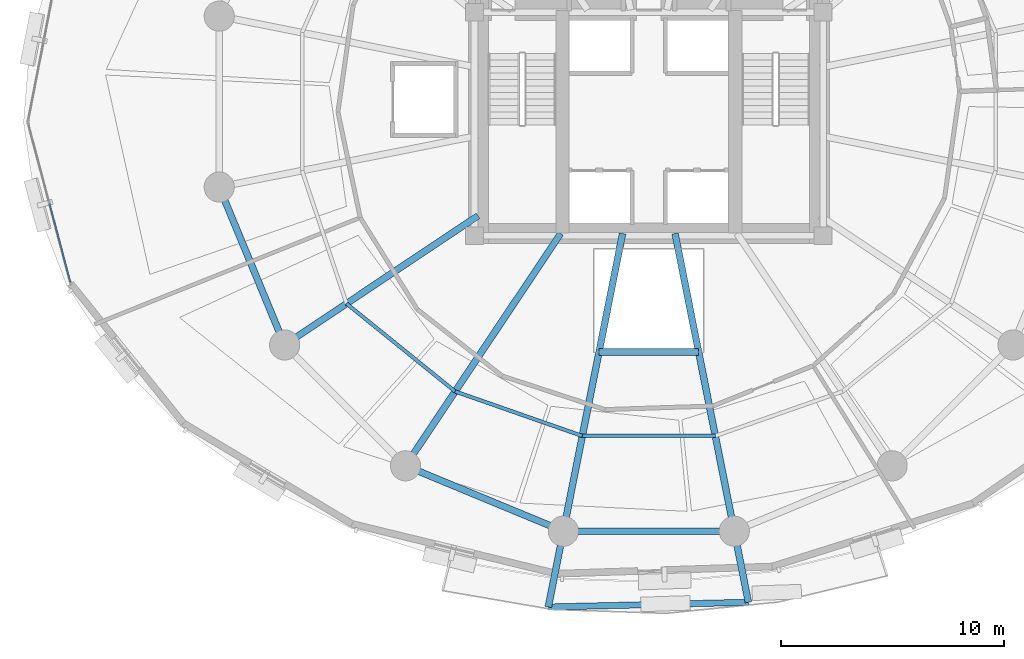
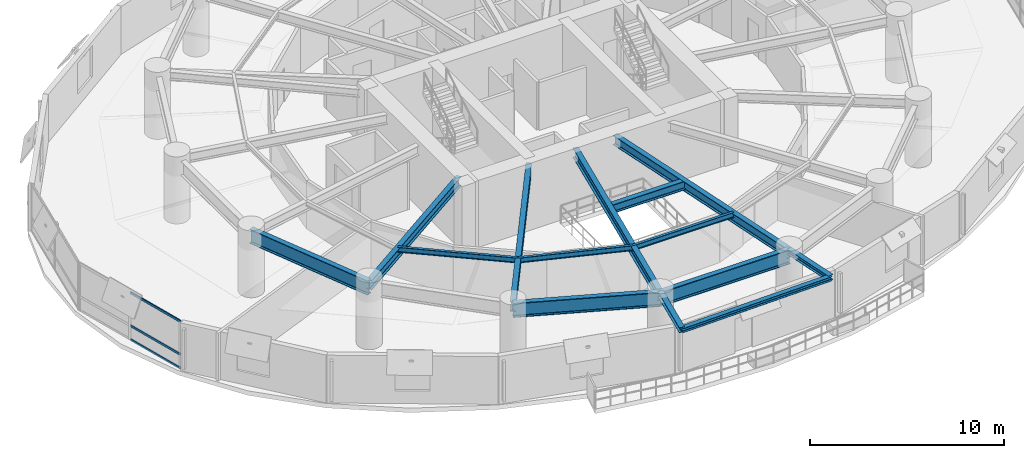
# One storey, part 3 of 15: 14 beams, 3 members, 1 element without a shape of its own.
"""IFC4 building model written with IfcOpenShell, lengths in metres."""

from ifc_helpers import new_model, si_unit, direction, frame, origin, origin_2d, place, context, subcontext, project, spatial, hollow_rectangle, i_section, extrude, material, layer, layer_set, material_profile, profile_set, type_object, element, aggregate, save


model = new_model("IFC4")

# Units and contexts
model_context = context("Model", 3, precision=1e-05, world=origin(), true_north=direction((0.0, 1.0)))
body_context = subcontext(model_context, "Body", "Model", "MODEL_VIEW")
ifc_project = project(units=[si_unit("LENGTHUNIT", "METRE"), si_unit("AREAUNIT", "SQUARE_METRE"), si_unit("VOLUMEUNIT", "CUBIC_METRE"), si_unit("PLANEANGLEUNIT", "RADIAN"), si_unit("MASSUNIT", "GRAM", prefix="KILO"), si_unit("THERMODYNAMICTEMPERATUREUNIT", "KELVIN"), si_unit("POWERUNIT", "WATT")], contexts=[model_context])

# Site, building, storey
site_placement = place(None, origin())
site = spatial("IfcSite", under=ifc_project, at=site_placement, CompositionType="ELEMENT")
building_placement = place(site_placement, origin())
building = spatial("IfcBuilding", under=site, at=building_placement, Name="Ocrelia Relay Tower", CompositionType="ELEMENT")
storey_placement = place(building_placement, frame((0.0, 0.0, 38.39990234375)))
storey = spatial("IfcBuildingStorey", under=building, at=storey_placement, Name="L08", CompositionType="ELEMENT", Elevation=38.39990234375)

# Beams
ifc_material_1 = material(Name="Steel S355", Category="steel")
ifc_material_profile_1 = material_profile(ifc_material_1, i_section(OverallWidth=0.280029296875, OverallDepth=0.27001953125, WebThickness=0.008056640625, FlangeThickness=0.012939453125, FilletRadius=0.02392578125, at=origin_2d()), Name="HEA 280")
ifc_profile_set_1 = profile_set([ifc_material_profile_1], Name="Steel S355")
beam_type_1 = type_object("IfcBeamType", Name="BM-HEA280", PredefinedType="BEAM", material=ifc_profile_set_1)
beam_1_placement = place(storey_placement, frame((29.501220703125, 3.3828125, 3.78515625), z_axis=(0.999720152709, 0.023656209927, 0.0), x_axis=(-0.023656209927, 0.999720152709, 0.0)))
element("IfcBeam", 1, at=beam_1_placement, inside=storey, type_object=beam_type_1, Name="L09 Balcony Edge Trimmer Beam B2", PredefinedType="BEAM", context=body_context, shape_type="SweptSolid", body=[
    extrude(i_section(OverallWidth=0.280029296875, OverallDepth=0.27001953125, WebThickness=0.008056640625, FlangeThickness=0.012939453125, FilletRadius=0.02392578125, at=origin_2d()), origin(), (0.0, 0.0, 1.0), 8.9580078125),
])
ifc_material_profile_2 = material_profile(ifc_material_1, i_section(OverallWidth=0.300048828125, OverallDepth=0.330078125, WebThickness=0.009521484375, FlangeThickness=0.0166015625, FilletRadius=0.027099609375, at=origin_2d()), Name="HEA 340")
ifc_profile_set_2 = profile_set([ifc_material_profile_2], Name="Steel S355")
beam_type_2 = type_object("IfcBeamType", Name="BM-HEA340", PredefinedType="BEAM", material=ifc_profile_set_2)
beam_2_placement = place(storey_placement, frame((30.17626953125, 6.776611328125, 3.755126953125), z_axis=(-0.195084836851, -0.980786371454, 0.0), x_axis=(0.980786371454, -0.195084836851, 0.0)))
element("IfcBeam", 2, at=beam_2_placement, inside=storey, type_object=beam_type_2, Name="L09 Balcony Cantilever Beam B2-1", PredefinedType="BEAM", context=body_context, shape_type="SweptSolid", body=[
    extrude(i_section(OverallWidth=0.300048828125, OverallDepth=0.330078125, WebThickness=0.009521484375, FlangeThickness=0.0166015625, FilletRadius=0.027099609375, at=origin_2d()), origin(), (0.0, 0.0, 1.0), 3.460205078125),
])
beam_3_placement = place(storey_placement, frame((37.82373046875, 6.776611328125, 3.755126953125), z_axis=(0.195131954021, -0.980776998364, 0.0), x_axis=(0.980776998364, 0.195131954021, 0.0)))
element("IfcBeam", 3, at=beam_3_placement, inside=storey, type_object=beam_type_2, Name="L09 Balcony Cantilever Beam B2-2", PredefinedType="BEAM", context=body_context, shape_type="SweptSolid", body=[
    extrude(i_section(OverallWidth=0.300048828125, OverallDepth=0.330078125, WebThickness=0.009521484375, FlangeThickness=0.0166015625, FilletRadius=0.027099609375, at=origin_2d()), origin(), (0.0, 0.0, 1.0), 3.244140625),
])
ifc_material_profile_3 = material_profile(ifc_material_1, i_section(OverallWidth=0.300048828125, OverallDepth=0.550048828125, WebThickness=0.014892578125, FlangeThickness=0.029052734375, FilletRadius=0.027099609375, at=origin_2d()), Name="HEB 550")
ifc_profile_set_3 = profile_set([ifc_material_profile_3], Name="Steel S355")
beam_type_3 = type_object("IfcBeamType", Name="BM-HEB550", PredefinedType="BEAM", material=ifc_profile_set_3)
beam_4_placement = place(storey_placement, frame((31.772216796875, 14.800048828125, 3.64501953125), z_axis=(1.0, 0.0, 0.0), x_axis=(0.0, 1.0, 0.0)))
element("IfcBeam", 4, at=beam_4_placement, inside=storey, type_object=beam_type_3, Name="L08 Atrium South Trimmer Beam", PredefinedType="BEAM", context=body_context, shape_type="SweptSolid", body=[
    extrude(i_section(OverallWidth=0.300048828125, OverallDepth=0.550048828125, WebThickness=0.014892578125, FlangeThickness=0.029052734375, FilletRadius=0.027099609375, at=origin_2d()), origin(), (0.0, 0.0, 1.0), 4.45556640625),
])
ifc_material_profile_4 = material_profile(ifc_material_1, i_section(OverallWidth=0.300048828125, OverallDepth=0.60009765625, WebThickness=0.015380859375, FlangeThickness=0.030029296875, FilletRadius=0.027099609375, at=origin_2d()), Name="HEB 600")
ifc_profile_set_4 = profile_set([ifc_material_profile_4], Name="Steel S355")
beam_type_4 = type_object("IfcBeamType", Name="BM-HEB600", PredefinedType="BEAM", material=ifc_profile_set_4)
beam_5_placement = place(storey_placement, frame((17.703125, 15.11083984375, 3.6201171875), z_axis=(0.83146868639, 0.555571618743, 0.0), x_axis=(-0.555571618743, 0.83146868639, 0.0)))
element("IfcBeam", 5, at=beam_5_placement, inside=storey, type_object=beam_type_4, Name="L08 Radial Floor Girder R10", PredefinedType="BEAM", context=body_context, shape_type="SweptSolid", body=[
    extrude(i_section(OverallWidth=0.300048828125, OverallDepth=0.60009765625, WebThickness=0.015380859375, FlangeThickness=0.030029296875, FilletRadius=0.027099609375, at=origin_2d()), origin(), (0.0, 0.0, 1.0), 10.405517578125),
])
beam_6_placement = place(storey_placement, frame((23.11083984375, 9.703125, 3.6201171875), z_axis=(0.555569912646, 0.831469826369, 0.0), x_axis=(-0.831469826369, 0.555569912646, 0.0)))
element("IfcBeam", 6, at=beam_6_placement, inside=storey, type_object=beam_type_4, Name="L08 Radial Floor Girder R11", PredefinedType="BEAM", context=body_context, shape_type="SweptSolid", body=[
    extrude(i_section(OverallWidth=0.300048828125, OverallDepth=0.60009765625, WebThickness=0.015380859375, FlangeThickness=0.030029296875, FilletRadius=0.027099609375, at=origin_2d()), origin(), (0.0, 0.0, 1.0), 12.498046875),
])
for number, where, z_axis, x_axis, name in (
    (7, (30.17626953125, 6.776611328125, 3.6201171875), (0.195089155229, 0.980785512491, 0.0), (-0.980785512491, 0.195089155229, 0.0), "L08 Radial Floor Girder R12"),
    (8, (37.82373046875, 6.776611328125, 3.6201171875), (-0.195089155229, 0.980785512491, 0.0), (-0.980785512491, -0.195089155229, 0.0), "L08 Radial Floor Girder R13"),
):
    element("IfcBeam", number, at=place(storey_placement, frame(where, z_axis=z_axis, x_axis=x_axis)), inside=storey, type_object=beam_type_4, Name=name, PredefinedType="BEAM", context=body_context, shape_type="SweptSolid", body=[
        extrude(i_section(OverallWidth=0.300048828125, OverallDepth=0.60009765625, WebThickness=0.015380859375, FlangeThickness=0.030029296875, FilletRadius=0.027099609375, at=origin_2d()), origin(), (0.0, 0.0, 1.0), 13.579345703125),
    ])
ifc_material_profile_5 = material_profile(ifc_material_1, i_section(OverallWidth=0.300048828125, OverallDepth=0.89990234375, WebThickness=0.0185546875, FlangeThickness=0.034912109375, FilletRadius=0.030029296875, at=origin_2d()), Name="HEB 900")
ifc_profile_set_5 = profile_set([ifc_material_profile_5], Name="Steel S355")
beam_type_5 = type_object("IfcBeamType", Name="BM-HEB900", PredefinedType="BEAM", material=ifc_profile_set_5)
for number, where, z_axis, x_axis, name in (
    (9, (14.776611328125, 22.17626953125, 3.47021484375), (0.382674154222, -0.923883375589, 0.0), (0.923883375589, 0.382674154222, 0.0), "L08 Perimeter Spandrel Beam S09"),
    (10, (23.11083984375, 9.703125, 3.47021484375), (0.923883375589, -0.382674154222, 0.0), (0.382674154222, 0.923883375589, 0.0), "L08 Perimeter Spandrel Beam S11"),
    (11, (30.17626953125, 6.776611328125, 3.47021484375), (1.0, 0.0, 0.0), (0.0, 1.0, 0.0), "L08 Perimeter Spandrel Beam S12"),
):
    element("IfcBeam", number, at=place(storey_placement, frame(where, z_axis=z_axis, x_axis=x_axis)), inside=storey, type_object=beam_type_5, Name=name, PredefinedType="BEAM", context=body_context, shape_type="SweptSolid", body=[
        extrude(i_section(OverallWidth=0.300048828125, OverallDepth=0.89990234375, WebThickness=0.0185546875, FlangeThickness=0.034912109375, FilletRadius=0.030029296875, at=origin_2d()), origin(), (0.0, 0.0, 1.0), 7.6474609375),
    ])
ifc_material_profile_6 = material_profile(ifc_material_1, i_section(OverallWidth=0.159912109375, OverallDepth=0.330078125, WebThickness=0.007568359375, FlangeThickness=0.011474609375, FilletRadius=0.01806640625, at=origin_2d()), Name="IPE 330")
ifc_profile_set_6 = profile_set([ifc_material_profile_6], Name="Steel S355")
beam_type_6 = type_object("IfcBeamType", Name="BM-IPE330", PredefinedType="JOIST", material=ifc_profile_set_6)
beam_7_placement = place(storey_placement, frame((20.4716796875, 16.960693359375, 3.755126953125), z_axis=(0.77748215158, -0.628905003935, 0.0), x_axis=(0.628905003935, 0.77748215158, 0.0)))
element("IfcBeam", 12, at=beam_7_placement, inside=storey, type_object=beam_type_6, Name="L08 Secondary Floor Joist J10", PredefinedType="JOIST", context=body_context, shape_type="SweptSolid", body=[
    extrude(i_section(OverallWidth=0.159912109375, OverallDepth=0.330078125, WebThickness=0.007568359375, FlangeThickness=0.011474609375, FilletRadius=0.01806640625, at=origin_2d()), origin(), (0.0, 0.0, 1.0), 6.25244140625),
])
beam_8_placement = place(storey_placement, frame((25.332763671875, 13.028564453125, 3.755126953125), z_axis=(0.943957429675, -0.330067221882, 0.0), x_axis=(0.330067221882, 0.943957429675, 0.0)))
element("IfcBeam", 13, at=beam_8_placement, inside=storey, type_object=beam_type_6, Name="L08 Secondary Floor Joist J11", PredefinedType="JOIST", context=body_context, shape_type="SweptSolid", body=[
    extrude(i_section(OverallWidth=0.159912109375, OverallDepth=0.330078125, WebThickness=0.007568359375, FlangeThickness=0.011474609375, FilletRadius=0.01806640625, at=origin_2d()), origin(), (0.0, 0.0, 1.0), 6.029052734375),
])
beam_9_placement = place(storey_placement, frame((31.02392578125, 11.03857421875, 3.755126953125), z_axis=(1.0, 0.0, 0.0), x_axis=(0.0, 1.0, 0.0)))
element("IfcBeam", 14, at=beam_9_placement, inside=storey, type_object=beam_type_6, Name="L08 Secondary Floor Joist J12", PredefinedType="JOIST", context=body_context, shape_type="SweptSolid", body=[
    extrude(i_section(OverallWidth=0.159912109375, OverallDepth=0.330078125, WebThickness=0.007568359375, FlangeThickness=0.011474609375, FilletRadius=0.01806640625, at=origin_2d()), origin(), (0.0, 0.0, 1.0), 5.9521484375),
])

# Curtain wall, members
ifc_material_2 = material(Name="Aluminium and solar-control low-E glass", Category="aluminium")
ifc_layer = layer(ifc_material_2, 0.179931640625, Name="Aluminium and solar-control low-E glass")
ifc_layer_set = layer_set([ifc_layer], Name="Aluminium and solar-control low-E glass")
curtain_wall_type = type_object("IfcCurtainWallType", Name="CW-SYS-Z1-DATA", PredefinedType="NOTDEFINED", material=ifc_layer_set)
curtain_wall_placement = place(storey_placement, origin())
curtain_wall = element("IfcCurtainWall", 15, at=curtain_wall_placement, inside=storey, type_object=curtain_wall_type, Name="L08 Elliptical Tower Curtain Wall Bay 10", PredefinedType="NOTDEFINED")
ifc_material_3 = material(Name="Anodised bronze aluminium", Category="aluminium")
ifc_material_profile_7 = material_profile(ifc_material_3, hollow_rectangle(XDim=0.06494140625, YDim=0.139892578125, WallThickness=0.0048828125, at=origin_2d()), Name="CW-TRN-140x65")
ifc_profile_set_7 = profile_set([ifc_material_profile_7], Name="Anodised bronze aluminium")
member_type = type_object("IfcMemberType", Name="CW-SYS-Z1-DATA-TRN", PredefinedType="USERDEFINED", material=ifc_profile_set_7)
member_1_placement = place(storey_placement, frame((7.182861328125, 21.431640625, 0.03271484375), z_axis=(0.256457763393, -0.966555438449, 0.0), x_axis=(0.966555438449, 0.256457763393, 0.0)))
member_1 = element("IfcMember", 16, at=member_1_placement, type_object=member_type, Name="CW-Z1 transom 2.1", ObjectType="TRANSOM", PredefinedType="USERDEFINED", context=body_context, shape_type="SweptSolid", body=[
    extrude(hollow_rectangle(XDim=0.06494140625, YDim=0.139892578125, WallThickness=0.0048828125, at=origin_2d()), origin(), (0.0, 0.0, 1.0), 3.6328125),
])
member_2_placement = place(storey_placement, frame((7.182861328125, 21.431640625, 0.900146484375), z_axis=(0.256457763393, -0.966555438449, 0.0), x_axis=(0.966555438449, 0.256457763393, 0.0)))
member_2 = element("IfcMember", 17, at=member_2_placement, type_object=member_type, Name="CW-Z1 transom 2.2", ObjectType="TRANSOM", PredefinedType="USERDEFINED", context=body_context, shape_type="SweptSolid", body=[
    extrude(hollow_rectangle(XDim=0.06494140625, YDim=0.139892578125, WallThickness=0.0048828125, at=origin_2d()), origin(), (0.0, 0.0, 1.0), 3.6328125),
])
member_3_placement = place(storey_placement, frame((7.182861328125, 21.431640625, 2.967529296875), z_axis=(0.256457763393, -0.966555438449, 0.0), x_axis=(0.966555438449, 0.256457763393, 0.0)))
member_3 = element("IfcMember", 18, at=member_3_placement, type_object=member_type, Name="CW-Z1 transom 2.3", ObjectType="TRANSOM", PredefinedType="USERDEFINED", context=body_context, shape_type="SweptSolid", body=[
    extrude(hollow_rectangle(XDim=0.06494140625, YDim=0.139892578125, WallThickness=0.0048828125, at=origin_2d()), origin(), (0.0, 0.0, 1.0), 3.6328125),
])
aggregate(curtain_wall, [member_1, member_2, member_3])

save(model, "model.ifc")
